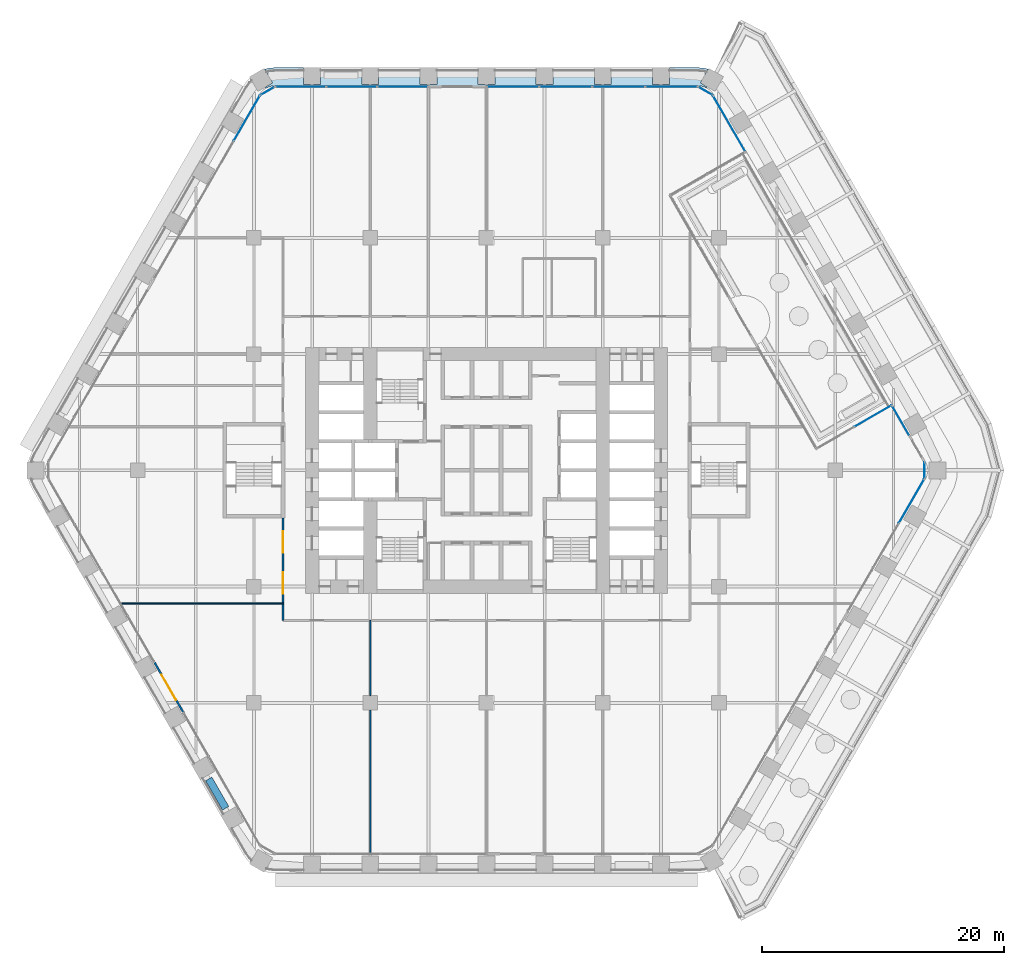
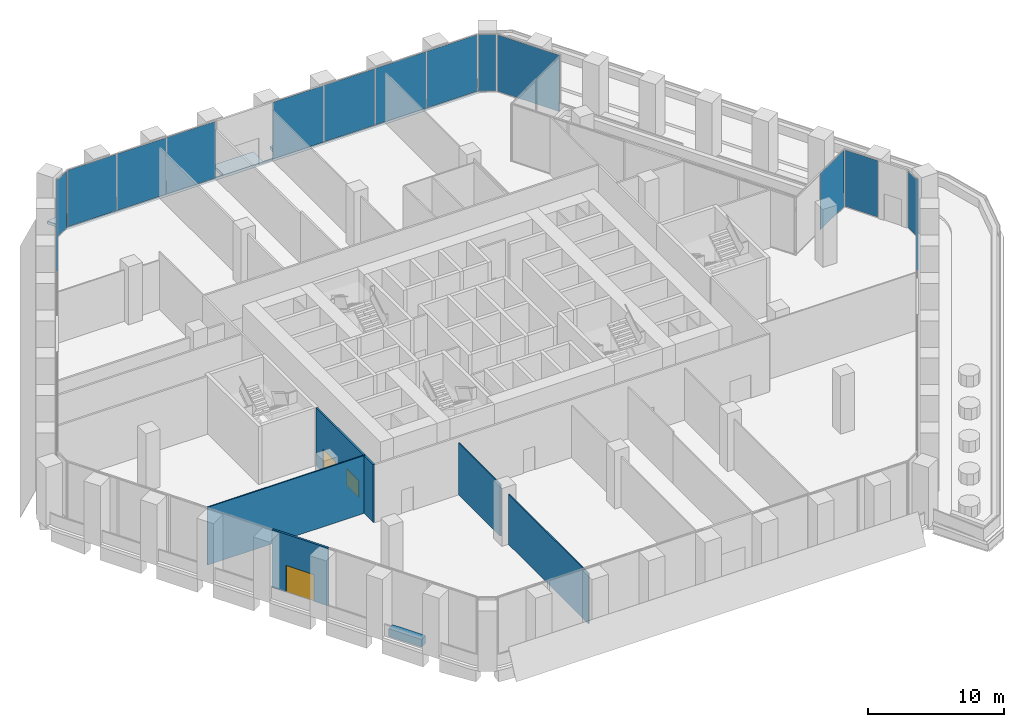
# One storey, part 19 of 32: 15 plates, 6 walls, 2 doors, 1 slab, 1 window, 3 openings, 10 elements without a shape of their own.
"""IFC4 building model written with IfcOpenShell, lengths in metres."""

from ifc_helpers import new_model, si_unit, direction, frame, frame_2d, origin, origin_2d, place, context, subcontext, project, spatial, polyline, rectangle, outline, extrude, material, layer, layer_set, type_object, element, fill, aggregate, save


model = new_model("IFC4")

# Units and contexts
model_context = context("Model", 3, precision=1e-05, world=origin(), true_north=direction((0.0, 1.0)))
body_context = subcontext(model_context, "Body", "Model", "MODEL_VIEW")
ifc_project = project(units=[si_unit("LENGTHUNIT", "METRE"), si_unit("AREAUNIT", "SQUARE_METRE"), si_unit("VOLUMEUNIT", "CUBIC_METRE"), si_unit("PLANEANGLEUNIT", "RADIAN"), si_unit("MASSUNIT", "GRAM", prefix="KILO")], contexts=[model_context])

# Site, building, storey
site_placement = place(None, origin())
site = spatial("IfcSite", under=ifc_project, at=site_placement, CompositionType="ELEMENT")
building_placement = place(site_placement, origin())
building = spatial("IfcBuilding", under=site, at=building_placement, Name="Kolab Exchange Tower", CompositionType="ELEMENT")
storey_placement = place(building_placement, frame((0.0, 0.0, 60.89990234375)))
storey = spatial("IfcBuildingStorey", under=building, at=storey_placement, Name="L11", CompositionType="ELEMENT", Elevation=60.89990234375)

# Slab
ifc_material_1 = material(Name="Concrete C35/45", Category="concrete")
ifc_layer_1 = layer(ifc_material_1, 0.25)
ifc_layer_set_1 = layer_set([ifc_layer_1], Name="Concrete C35/45")
slab_type = type_object("IfcSlabType", Name="LOGGIA SLAB 250", PredefinedType="FLOOR", material=ifc_layer_set_1)
slab_placement = place(storey_placement, frame((0.0, 0.0, -0.25)))
element("IfcSlab", 1, at=slab_placement, inside=storey, type_object=slab_type, Name="slab/L11/loggia/0-0", PredefinedType="FLOOR", context=body_context, shape_type="SweptSolid", body=[
    extrude(outline(polyline([(17.98095703125, 31.664794921875), (18.149169921875, 31.58642578125), (18.149169921875, 31.586669921875), (18.19775390625, 31.681640625), (17.66162109375, 31.990966796875), (18.31494140625, 33.122314453125), (17.989013671875, 33.209716796875), (17.468017578125, 33.25537109375), (15.10009765625, 33.25537109375), (15.10009765625, 31.85546875), (13.699951171875, 31.85546875), (13.699951171875, 33.25537109375), (10.300048828125, 33.25537109375), (10.300048828125, 31.85546875), (8.89990234375, 31.85546875), (8.89990234375, 33.25537109375), (5.5, 33.25537109375), (5.5, 31.85546875), (4.10009765625, 31.85546875), (4.10009765625, 33.25537109375), (0.699951171875, 33.25537109375), (0.699951171875, 31.85546875), (-0.699951171875, 31.85546875), (-0.699951171875, 33.25537109375), (-4.10009765625, 33.25537109375), (-4.10009765625, 31.85546875), (-5.5, 31.85546875), (-5.5, 33.25537109375), (-8.89990234375, 33.25537109375), (-8.89990234375, 31.85546875), (-10.300048828125, 31.85546875), (-10.300048828125, 33.25537109375), (-13.699951171875, 33.25537109375), (-13.699951171875, 31.85546875), (-15.10009765625, 31.85546875), (-15.10009765625, 33.25537109375), (-17.468017578125, 33.25537109375), (-17.989013671875, 33.209716796875), (-18.31494140625, 33.122314453125), (-17.66162109375, 31.990966796875), (-18.26806640625, 31.64111328125), (-18.218017578125, 31.554443359375), (-17.98095703125, 31.664794921875), (-17.728515625, 31.732666015625), (-17.468017578125, 31.75537109375), (17.468017578125, 31.75537109375), (17.728515625, 31.732666015625), (17.98095703125, 31.664794921875)])), origin(), (0.0, 0.0, 1.0), 0.25),
])

# Curtain wall, plates
ifc_material_2 = material(Name="Aluminium EN AW-6063 T6", Category="aluminium")
curtain_wall_type = type_object("IfcCurtainWallType", Name="UNITISED LOW ZONE CURTAIN WALL", PredefinedType="NOTDEFINED", material=ifc_material_2)
curtain_wall_1_placement = place(storey_placement, origin())
curtain_wall_1 = element("IfcCurtainWall", 2, at=curtain_wall_1_placement, inside=storey, type_object=curtain_wall_type, Name="cw/L11/F1-1", PredefinedType="NOTDEFINED")
ifc_material_3 = material(Name="Clear insulated glazing unit", Category="glass")
ifc_layer_2 = layer(ifc_material_3, 0.02392578125)
ifc_layer_set_2 = layer_set([ifc_layer_2], Name="Clear insulated glazing unit")
plate_type = type_object("IfcPlateType", Name="UNITISED LOW ZONE GLASS PANEL 24", PredefinedType="CURTAIN_PANEL", material=ifc_layer_set_2)
plate_1_placement = place(storey_placement, frame((-15.341552734375, 31.67529296875, 0.06005859375), z_axis=(0.0, 0.0, 1.0), x_axis=(1.0, 0.0, 0.0)))
plate_1 = element("IfcPlate", 3, at=plate_1_placement, type_object=plate_type, Name="CW1 panel 1.1", PredefinedType="CURTAIN_PANEL", context=body_context, shape_type="SweptSolid", body=[
    extrude(rectangle(XDim=4.132568359375, YDim=0.02392578125, at=origin_2d()), origin(), (0.0, 0.0, 1.0), 5.080078125),
])
plate_2_placement = place(storey_placement, frame((-11.134033203125, 31.67529296875, 0.06005859375), z_axis=(0.0, 0.0, 1.0), x_axis=(1.0, 0.0, 0.0)))
plate_2 = element("IfcPlate", 4, at=plate_2_placement, type_object=plate_type, Name="CW1 panel 2.1", PredefinedType="CURTAIN_PANEL", context=body_context, shape_type="SweptSolid", body=[
    extrude(rectangle(XDim=4.16259765625, YDim=0.02392578125, at=origin_2d()), origin(), (0.0, 0.0, 1.0), 5.080078125),
])
plate_3_placement = place(storey_placement, frame((-6.92626953125, 31.67529296875, 0.06005859375), z_axis=(0.0, 0.0, 1.0), x_axis=(1.0, 0.0, 0.0)))
plate_3 = element("IfcPlate", 5, at=plate_3_placement, type_object=plate_type, Name="CW1 panel 3.1", PredefinedType="CURTAIN_PANEL", context=body_context, shape_type="SweptSolid", body=[
    extrude(rectangle(XDim=4.132568359375, YDim=0.02392578125, at=origin_2d()), origin(), (0.0, 0.0, 1.0), 5.080078125),
])
aggregate(curtain_wall_1, [plate_1, plate_2, plate_3])

curtain_wall_2_placement = place(storey_placement, origin())
curtain_wall_2 = element("IfcCurtainWall", 6, at=curtain_wall_2_placement, inside=storey, type_object=curtain_wall_type, Name="cw/L11/F1-2", PredefinedType="NOTDEFINED")
plate_4_placement = place(storey_placement, frame((2.198486328125, 31.67529296875, 0.06005859375), z_axis=(0.0, 0.0, 1.0), x_axis=(1.0, 0.0, 0.0)))
plate_4 = element("IfcPlate", 7, at=plate_4_placement, type_object=plate_type, Name="CW1 panel 1.1", PredefinedType="CURTAIN_PANEL", context=body_context, shape_type="SweptSolid", body=[
    extrude(rectangle(XDim=4.277099609375, YDim=0.02392578125, at=origin_2d()), origin(), (0.0, 0.0, 1.0), 5.080078125),
])
plate_5_placement = place(storey_placement, frame((6.550537109375, 31.67529296875, 0.06005859375), z_axis=(0.0, 0.0, 1.0), x_axis=(1.0, 0.0, 0.0)))
plate_5 = element("IfcPlate", 8, at=plate_5_placement, type_object=plate_type, Name="CW1 panel 2.1", PredefinedType="CURTAIN_PANEL", context=body_context, shape_type="SweptSolid", body=[
    extrude(rectangle(XDim=4.306884765625, YDim=0.02392578125, at=origin_2d()), origin(), (0.0, 0.0, 1.0), 5.080078125),
])
plate_6_placement = place(storey_placement, frame((10.91748046875, 31.67529296875, 0.06005859375), z_axis=(0.0, 0.0, 1.0), x_axis=(1.0, 0.0, 0.0)))
plate_6 = element("IfcPlate", 9, at=plate_6_placement, type_object=plate_type, Name="CW1 panel 3.1", PredefinedType="CURTAIN_PANEL", context=body_context, shape_type="SweptSolid", body=[
    extrude(rectangle(XDim=4.306884765625, YDim=0.02392578125, at=origin_2d()), origin(), (0.0, 0.0, 1.0), 5.080078125),
])
plate_7_placement = place(storey_placement, frame((15.26953125, 31.67529296875, 0.06005859375), z_axis=(0.0, 0.0, 1.0), x_axis=(1.0, 0.0, 0.0)))
plate_7 = element("IfcPlate", 10, at=plate_7_placement, type_object=plate_type, Name="CW1 panel 4.1", PredefinedType="CURTAIN_PANEL", context=body_context, shape_type="SweptSolid", body=[
    extrude(rectangle(XDim=4.277099609375, YDim=0.02392578125, at=origin_2d()), origin(), (0.0, 0.0, 1.0), 5.080078125),
])
aggregate(curtain_wall_2, [plate_4, plate_5, plate_6, plate_7])

# Curtain wall, plate
curtain_wall_3_placement = place(storey_placement, origin())
curtain_wall_3 = element("IfcCurtainWall", 11, at=curtain_wall_3_placement, inside=storey, type_object=curtain_wall_type, Name="cw/L11/F2-l-1", PredefinedType="NOTDEFINED")
plate_8_placement = place(storey_placement, frame((20.044677734375, 28.63232421875, 0.06005859375), z_axis=(0.0, 0.0, 1.0), x_axis=(0.500000046161, -0.866025377133, 0.0)))
plate_8 = element("IfcPlate", 12, at=plate_8_placement, type_object=plate_type, Name="CW1 panel 1.1", PredefinedType="CURTAIN_PANEL", context=body_context, shape_type="SweptSolid", body=[
    extrude(rectangle(XDim=5.26806640625, YDim=0.02392578125, at=origin_2d()), origin(), (0.0, 0.0, 1.0), 5.080078125),
])
aggregate(curtain_wall_3, [plate_8])

curtain_wall_4_placement = place(storey_placement, origin())
curtain_wall_4 = element("IfcCurtainWall", 13, at=curtain_wall_4_placement, inside=storey, type_object=curtain_wall_type, Name="cw/L11/F2-rr-1", PredefinedType="NOTDEFINED")
plate_9_placement = place(storey_placement, frame((31.89990234375, 4.468505859375, 0.06005859375), z_axis=(0.0, 0.0, 1.0), x_axis=(0.866025407005, 0.499999994423, 0.0)))
plate_9 = element("IfcPlate", 14, at=plate_9_placement, type_object=plate_type, Name="CW1 panel 2.1", PredefinedType="CURTAIN_PANEL", context=body_context, shape_type="SweptSolid", body=[
    extrude(rectangle(XDim=3.510009765625, YDim=0.02392578125, at=origin_2d()), origin(), (0.0, 0.0, 1.0), 5.080078125),
])
aggregate(curtain_wall_4, [plate_9])

curtain_wall_5_placement = place(storey_placement, origin())
curtain_wall_5 = element("IfcCurtainWall", 15, at=curtain_wall_5_placement, inside=storey, type_object=curtain_wall_type, Name="cw/L11/F2-r-1", PredefinedType="NOTDEFINED")
plate_10_placement = place(storey_placement, frame((34.20361328125, 4.108154296875, 0.06005859375), z_axis=(0.0, 0.0, 1.0), x_axis=(0.499999903717, -0.866025459373, 0.0)))
plate_10 = element("IfcPlate", 16, at=plate_10_placement, type_object=plate_type, Name="CW1 panel 1.1", PredefinedType="CURTAIN_PANEL", context=body_context, shape_type="SweptSolid", body=[
    extrude(rectangle(XDim=2.807861328125, YDim=0.02392578125, at=origin_2d()), origin(), (0.0, 0.0, 1.0), 5.080078125),
])
aggregate(curtain_wall_5, [plate_10])

curtain_wall_6_placement = place(storey_placement, origin())
curtain_wall_6 = element("IfcCurtainWall", 17, at=curtain_wall_6_placement, inside=storey, type_object=curtain_wall_type, Name="cw/L11/F3-1", PredefinedType="NOTDEFINED")
plate_11_placement = place(storey_placement, frame((35.1025390625, -2.551513671875, 0.06005859375), z_axis=(0.0, 0.0, 1.0), x_axis=(-0.499999958358, -0.866025427826, 0.0)))
plate_11 = element("IfcPlate", 18, at=plate_11_placement, type_object=plate_type, Name="CW1 panel 1.1", PredefinedType="CURTAIN_PANEL", context=body_context, shape_type="SweptSolid", body=[
    extrude(rectangle(XDim=4.132568359375, YDim=0.02392578125, at=origin_2d()), origin(), (0.0, 0.0, 1.0), 5.080078125),
])
aggregate(curtain_wall_6, [plate_11])

curtain_wall_7_placement = place(storey_placement, origin())
curtain_wall_7 = element("IfcCurtainWall", 19, at=curtain_wall_7_placement, inside=storey, type_object=curtain_wall_type, Name="cw/L11/F6-2", PredefinedType="NOTDEFINED")
plate_12_placement = place(storey_placement, frame((-19.796875, 29.0615234375, 0.06005859375), z_axis=(0.0, 0.0, 1.0), x_axis=(0.5000000112, 0.866025397318, 0.0)))
plate_12 = element("IfcPlate", 20, at=plate_12_placement, type_object=plate_type, Name="CW1 panel 4.1", PredefinedType="CURTAIN_PANEL", context=body_context, shape_type="SweptSolid", body=[
    extrude(rectangle(XDim=4.277099609375, YDim=0.02392578125, at=origin_2d()), origin(), (0.0, 0.0, 1.0), 5.080078125),
])
aggregate(curtain_wall_7, [plate_12])

curtain_wall_8_placement = place(storey_placement, origin())
curtain_wall_8 = element("IfcCurtainWall", 21, at=curtain_wall_8_placement, inside=storey, type_object=curtain_wall_type, Name="cw/L11/F1F2-corner", PredefinedType="NOTDEFINED")
plate_13_placement = place(storey_placement, frame((18.082763671875, 31.3203125, 0.06005859375), z_axis=(0.0, 0.0, 1.0), x_axis=(0.866025390869, -0.50000002237, 0.0)))
plate_13 = element("IfcPlate", 22, at=plate_13_placement, type_object=plate_type, Name="CW1 panel 1.1", PredefinedType="CURTAIN_PANEL", context=body_context, shape_type="SweptSolid", body=[
    extrude(rectangle(XDim=1.300048828125, YDim=0.02392578125, at=origin_2d()), origin(), (0.0, 0.0, 1.0), 5.080078125),
])
aggregate(curtain_wall_8, [plate_13])

curtain_wall_9_placement = place(storey_placement, origin())
curtain_wall_9 = element("IfcCurtainWall", 23, at=curtain_wall_9_placement, inside=storey, type_object=curtain_wall_type, Name="cw/L11/F2F3-corner", PredefinedType="NOTDEFINED")
plate_14_placement = place(storey_placement, frame((36.165771484375, 0.0, 0.06005859375), z_axis=(0.0, 0.0, 1.0), x_axis=(0.0, -1.0, 0.0)))
plate_14 = element("IfcPlate", 24, at=plate_14_placement, type_object=plate_type, Name="CW1 panel 1.1", PredefinedType="CURTAIN_PANEL", context=body_context, shape_type="SweptSolid", body=[
    extrude(rectangle(XDim=1.300048828125, YDim=0.02392578125, at=origin_2d()), origin(), (0.0, 0.0, 1.0), 5.080078125),
])
aggregate(curtain_wall_9, [plate_14])

curtain_wall_10_placement = place(storey_placement, origin())
curtain_wall_10 = element("IfcCurtainWall", 25, at=curtain_wall_10_placement, inside=storey, type_object=curtain_wall_type, Name="cw/L11/F6F1-corner", PredefinedType="NOTDEFINED")
plate_15_placement = place(storey_placement, frame((-18.082763671875, 31.3203125, 0.06005859375), z_axis=(0.0, 0.0, 1.0), x_axis=(0.866025390869, 0.50000002237, 0.0)))
plate_15 = element("IfcPlate", 26, at=plate_15_placement, type_object=plate_type, Name="CW1 panel 1.1", PredefinedType="CURTAIN_PANEL", context=body_context, shape_type="SweptSolid", body=[
    extrude(rectangle(XDim=1.300048828125, YDim=0.02392578125, at=origin_2d()), origin(), (0.0, 0.0, 1.0), 5.080078125),
])
aggregate(curtain_wall_10, [plate_15])

# Wall, opening, door
ifc_layer_3 = layer(ifc_material_2, 0.159912109375)
ifc_layer_set_3 = layer_set([ifc_layer_3], Name="Aluminium EN AW-6063 T6")
wall_type_1 = type_object("IfcWallType", Name="DOOR SURROUND WALL 160 ALUMINIUM FRAMED", PredefinedType="PARTITIONING", material=ifc_layer_set_3)
wall_1_placement = place(storey_placement, frame((-25.046630859375, -19.96875, 0.0), z_axis=(0.0, 0.0, 1.0), x_axis=(-0.5000167099, 0.866015756104, 0.0)))
wall_1 = element("IfcWall", 27, at=wall_1_placement, inside=storey, type_object=wall_type_1, Name="Door surround wall", PredefinedType="PARTITIONING", context=body_context, shape_type="SweptSolid", body=[
    extrude(rectangle(XDim=4.739990234375, YDim=0.159912109375, at=frame_2d((2.3701171875, 0.0))), origin(), (0.0, 0.0, 1.0), 5.2001953125),
])
opening_1_placement = place(wall_1_placement, frame((1.169921875, 0.0, 0.0)))
opening_1 = element("IfcOpeningElement", 28, at=opening_1_placement, cuts=wall_1, Name="Opening GD1-027", PredefinedType="OPENING", context=body_context, shape_type="SweptSolid", body=[
    extrude(rectangle(XDim=2.39990234375, YDim=2.39990234375, at=frame_2d((1.199951171875, 1.199951171875))), frame((0.0, 0.08984375, 0.0), z_axis=(0.0, -1.0, 0.0), x_axis=(1.0, 0.0, 0.0)), (0.0, 0.0, 1.0), 0.179931640625),
])
door_type_1 = type_object("IfcDoorType", Name="LOGGIA SLIDING GLASS DOOR 2400 X 2400", OperationType="DOUBLE_DOOR_SINGLE_SWING", PredefinedType="DOOR", material=ifc_material_2)
door_1_placement = place(opening_1_placement, origin())
door_1 = element("IfcDoor", 29, at=door_1_placement, inside=storey, type_object=door_type_1, Name="Loggia door", OperationType="DOUBLE_DOOR_SLIDING", OverallHeight=2.39990234375, OverallWidth=2.39990234375, PredefinedType="DOOR", context=body_context, shape_type="SweptSolid", body=[
    extrude(rectangle(XDim=2.39990234375, YDim=2.39990234375, at=frame_2d((1.199951171875, 1.199951171875))), frame((0.0, 0.02490234375, 0.0), z_axis=(0.0, -1.0, 0.0), x_axis=(1.0, 0.0, 0.0)), (0.0, 0.0, 1.0), 0.050048828125),
])
fill(opening_1, door_1)

# Walls
ifc_material_4 = material(Name="Gypsum board", Category="gypsum")
ifc_layer_4 = layer(ifc_material_4, 0.10009765625)
ifc_layer_set_4 = layer_set([ifc_layer_4], Name="Gypsum board")
wall_type_2 = type_object("IfcWallType", Name="PARTITION 100", PredefinedType="PARTITIONING", material=ifc_layer_set_4)
wall_2_placement = place(storey_placement, frame((-9.60009765625, -31.58544921875, 0.0), z_axis=(0.0, 0.0, 1.0), x_axis=(0.0, 1.0, 0.0)))
element("IfcWall", 30, at=wall_2_placement, inside=storey, type_object=wall_type_2, Name="Partition 021", PredefinedType="PARTITIONING", context=body_context, shape_type="SweptSolid", body=[
    extrude(rectangle(XDim=11.785400390625, YDim=0.10009765625, at=frame_2d((5.892578125, 0.0))), origin(), (0.0, 0.0, 1.0), 4.51611328125),
])
wall_3_placement = place(storey_placement, frame((-9.60009765625, -18.60009765625, 0.0), z_axis=(0.0, 0.0, 1.0), x_axis=(0.0, 1.0, 0.0)))
element("IfcWall", 31, at=wall_3_placement, inside=storey, type_object=wall_type_2, Name="Partition 022", PredefinedType="PARTITIONING", context=body_context, shape_type="SweptSolid", body=[
    extrude(rectangle(XDim=6.2001953125, YDim=0.10009765625, at=frame_2d((3.10009765625, 0.0))), origin(), (0.0, 0.0, 1.0), 4.6669921875),
])
wall_4_placement = place(storey_placement, frame((-30.178466796875, -11.0, 0.0), z_axis=(0.0, 0.0, 1.0), x_axis=(1.0, 0.0, 0.0)))
element("IfcWall", 32, at=wall_4_placement, inside=storey, type_object=wall_type_2, Name="Partition 031", PredefinedType="PARTITIONING", context=body_context, shape_type="SweptSolid", body=[
    extrude(rectangle(XDim=13.37841796875, YDim=0.10009765625, at=frame_2d((6.689208984375, 0.0))), origin(), (0.0, 0.0, 1.0), 5.2001953125),
])

# Wall, openings, door, window
ifc_layer_5 = layer(ifc_material_4, 0.14990234375)
ifc_layer_set_5 = layer_set([ifc_layer_5], Name="Gypsum board")
wall_type_3 = type_object("IfcWallType", Name="PARTITION 150 FIRE-RATED", PredefinedType="PARTITIONING", material=ifc_layer_set_5)
wall_5_placement = place(storey_placement, frame((-16.800048828125, -12.39990234375, 0.0), z_axis=(0.0, 0.0, 1.0), x_axis=(0.0, 1.0, 0.0)))
wall_5 = element("IfcWall", 33, at=wall_5_placement, inside=storey, type_object=wall_type_3, Name="Partition 028", PredefinedType="PARTITIONING", context=body_context, shape_type="SweptSolid", body=[
    extrude(rectangle(XDim=8.449951171875, YDim=0.14990234375, at=frame_2d((4.22509765625, 0.0))), origin(), (0.0, 0.0, 1.0), 5.2001953125),
])
opening_2_placement = place(wall_5_placement, frame((5.574951171875, 0.0, 0.0)))
opening_2 = element("IfcOpeningElement", 34, at=opening_2_placement, cuts=wall_5, Name="Opening D2-036", PredefinedType="OPENING", context=body_context, shape_type="SweptSolid", body=[
    extrude(rectangle(XDim=1.800048828125, YDim=2.10009765625, at=frame_2d((0.89990234375, 1.050048828125))), frame((0.0, 0.0849609375, 0.0), z_axis=(0.0, -1.0, 0.0), x_axis=(1.0, 0.0, 0.0)), (0.0, 0.0, 1.0), 0.169921875),
])
opening_3_placement = place(wall_5_placement, frame((2.199951171875, 0.0, 0.89990234375)))
opening_3 = element("IfcOpeningElement", 35, at=opening_3_placement, cuts=wall_5, Name="Opening W1-005", PredefinedType="OPENING", context=body_context, shape_type="SweptSolid", body=[
    extrude(rectangle(XDim=1.800048828125, YDim=1.5, at=frame_2d((0.89990234375, 0.75))), frame((0.0, 0.0849609375, 0.0), z_axis=(0.0, -1.0, 0.0), x_axis=(1.0, 0.0, 0.0)), (0.0, 0.0, 1.0), 0.169921875),
])
ifc_material_5 = material(Name="Steel S235", Category="steel")
door_type_2 = type_object("IfcDoorType", Name="DOUBLE DOOR 1800 FD60", OperationType="DOUBLE_DOOR_SINGLE_SWING", PredefinedType="DOOR", material=ifc_material_5)
door_2_placement = place(opening_2_placement, origin())
door_2 = element("IfcDoor", 36, at=door_2_placement, inside=storey, type_object=door_type_2, Name="Door L11-064", OperationType="SINGLE_SWING_RIGHT", OverallHeight=2.10009765625, OverallWidth=1.800048828125, PredefinedType="DOOR", context=body_context, shape_type="SweptSolid", body=[
    extrude(rectangle(XDim=1.800048828125, YDim=2.10009765625, at=frame_2d((0.89990234375, 1.050048828125))), frame((0.0, 0.02490234375, 0.0), z_axis=(0.0, -1.0, 0.0), x_axis=(1.0, 0.0, 0.0)), (0.0, 0.0, 1.0), 0.050048828125),
])
fill(opening_2, door_2)
ifc_material_6 = material(Name="Fire-rated glazing", Category="glass")
window_type = type_object("IfcWindowType", Name="OBSERVATION WINDOW 1800 X 1500 EI 60", PartitioningType="SINGLE_PANEL", PredefinedType="WINDOW", material=ifc_material_6)
window_placement = place(opening_3_placement, origin())
window = element("IfcWindow", 37, at=window_placement, inside=storey, type_object=window_type, Name="Viewing window L11-1", OverallHeight=1.5, OverallWidth=1.800048828125, PartitioningType="SINGLE_PANEL", PredefinedType="WINDOW", context=body_context, shape_type="SweptSolid", body=[
    extrude(rectangle(XDim=1.800048828125, YDim=1.5, at=frame_2d((0.89990234375, 0.75))), frame((0.0, 0.030029296875, 0.0), z_axis=(0.0, -1.0, 0.0), x_axis=(1.0, 0.0, 0.0)), (0.0, 0.0, 1.0), 0.06005859375),
])
fill(opening_3, window)

# Wall
ifc_material_7 = material(Name="Granite facing", Category="masonry")
ifc_layer_6 = layer(ifc_material_7, 0.0400390625)
ifc_material_8 = material(Name="Concrete C40/50 precast", Category="concrete")
ifc_layer_7 = layer(ifc_material_8, 0.56005859375)
ifc_layer_set_6 = layer_set([ifc_layer_6, ifc_layer_7], Name="Concrete C40/50 precast")
wall_type_4 = type_object("IfcWallType", Name="PLANTER BOX 600 X 700 SOIL DEPTH 550", PredefinedType="USERDEFINED", material=ifc_layer_set_6)
wall_6_placement = place(storey_placement, frame((-21.537109375, -27.907470703125, 0.0), z_axis=(0.0, 0.0, 1.0), x_axis=(-0.49998411664, 0.866034573852, 0.0)))
element("IfcWall", 38, at=wall_6_placement, inside=storey, type_object=wall_type_4, Name="Planter", ObjectType="PLANTER", PredefinedType="USERDEFINED", context=body_context, shape_type="SweptSolid", body=[
    extrude(rectangle(XDim=2.7998046875, YDim=0.60009765625, at=frame_2d((1.39990234375, 0.0))), origin(), (0.0, 0.0, 1.0), 0.7001953125),
])

save(model, "model.ifc")
